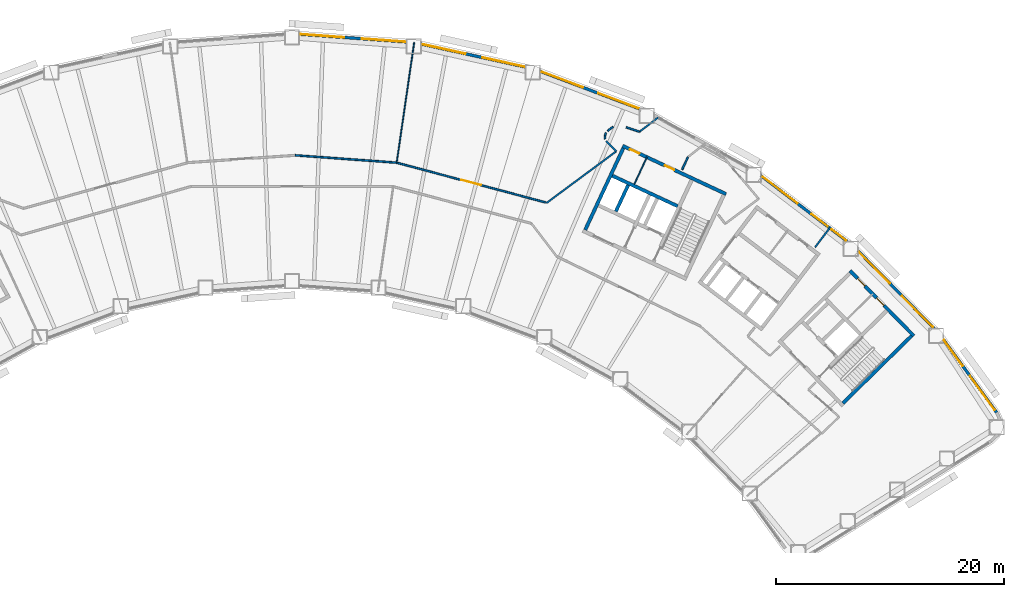
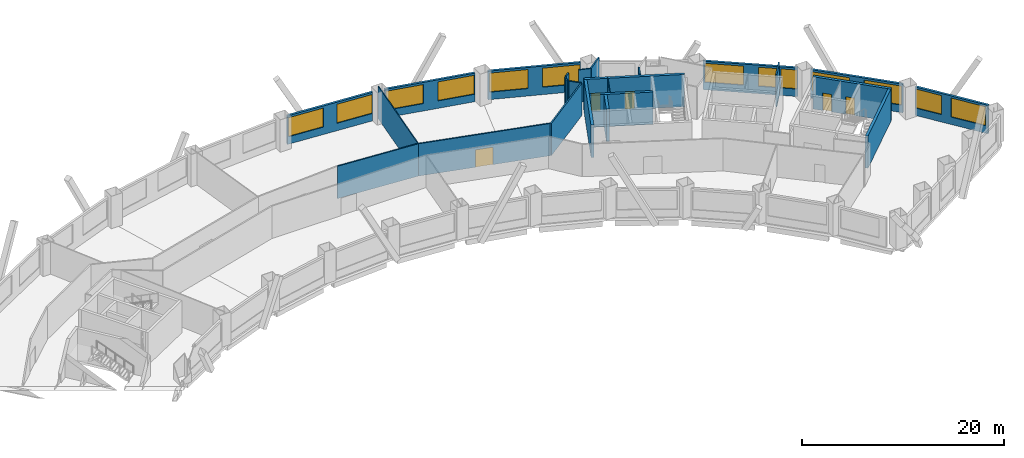
# One storey, part 7 of 11: 25 walls, 13 windows, 5 doors, 18 openings.
"""IFC4 building model written with IfcOpenShell, lengths in metres."""

from ifc_helpers import new_model, si_unit, direction, frame, frame_2d, origin, place, context, subcontext, project, spatial, rectangle, extrude, material, layer, layer_set, type_object, element, fill, save


model = new_model("IFC4")

# Units and contexts
model_context = context("Model", 3, precision=1e-05, world=origin(), true_north=direction((0.0, 1.0)))
body_context = subcontext(model_context, "Body", "Model", "MODEL_VIEW")
ifc_project = project(units=[si_unit("LENGTHUNIT", "METRE"), si_unit("AREAUNIT", "SQUARE_METRE"), si_unit("VOLUMEUNIT", "CUBIC_METRE"), si_unit("PLANEANGLEUNIT", "RADIAN"), si_unit("MASSUNIT", "GRAM", prefix="KILO")], contexts=[model_context])

# Site, building, storey
site_placement = place(None, origin())
site = spatial("IfcSite", under=ifc_project, at=site_placement, CompositionType="ELEMENT")
building_placement = place(site_placement, origin())
building = spatial("IfcBuilding", under=site, at=building_placement, Name="Tuul Gate Civic Tower", CompositionType="ELEMENT")
storey_placement = place(building_placement, frame((0.0, 0.0, 48.300048828125)))
storey = spatial("IfcBuildingStorey", under=building, at=storey_placement, Name="Level 10", CompositionType="ELEMENT", Elevation=48.300048828125)

# Wall, openings, doors
ifc_material_1 = material(Name="Concrete C50/60", Category="concrete")
ifc_layer_1 = layer(ifc_material_1, 0.300048828125)
ifc_layer_set_1 = layer_set([ifc_layer_1], Name="Concrete C50/60")
wall_type_1 = type_object("IfcWallType", Name="Core wall C50/60", PredefinedType="SHEAR", material=ifc_layer_set_1)
wall_1_placement = place(storey_placement, frame((54.43798828125, -12.23779296875, 0.0), z_axis=(0.0, 0.0, 1.0), x_axis=(-0.700021979774, 0.714121297703, 0.0)))
wall_1 = element("IfcWall", 1, at=wall_1_placement, inside=storey, type_object=wall_type_1, Name="Core wall", PredefinedType="SHEAR", context=body_context, shape_type="SweptSolid", body=[
    extrude(rectangle(XDim=8.0, YDim=0.300048828125, at=frame_2d((4.0, 0.0))), origin(), (0.0, 0.0, 1.0), 3.89990234375),
])
opening_1_placement = place(wall_1_placement, frame((3.75, 0.0, 0.0)))
opening_1 = element("IfcOpeningElement", 2, at=opening_1_placement, cuts=wall_1, Name="Opening B-D21", PredefinedType="OPENING", context=body_context, shape_type="SweptSolid", body=[
    extrude(rectangle(XDim=0.89990234375, YDim=2.10009765625, at=frame_2d((0.449951171875, 1.050048828125))), frame((0.0, 0.16015625, 0.0), z_axis=(0.0, -1.0, 0.0), x_axis=(1.0, 0.0, 0.0)), (0.0, 0.0, 1.0), 0.320068359375),
])
opening_2_placement = place(wall_1_placement, frame((6.125, 0.0, 0.0)))
opening_2 = element("IfcOpeningElement", 3, at=opening_2_placement, cuts=wall_1, Name="Opening B-D22", PredefinedType="OPENING", context=body_context, shape_type="SweptSolid", body=[
    extrude(rectangle(XDim=0.89990234375, YDim=2.10009765625, at=frame_2d((0.449951171875, 1.050048828125))), frame((0.0, 0.16015625, 0.0), z_axis=(0.0, -1.0, 0.0), x_axis=(1.0, 0.0, 0.0)), (0.0, 0.0, 1.0), 0.320068359375),
])
ifc_material_2 = material(Name="Timber door leaf", Category="wood")
door_type_1 = type_object("IfcDoorType", Name="Door D09", OperationType="NOTDEFINED", PredefinedType="DOOR", material=ifc_material_2)
door_1_placement = place(opening_1_placement, origin())
door_1 = element("IfcDoor", 4, at=door_1_placement, inside=storey, type_object=door_type_1, Name="Door B-D21", OperationType="SINGLE_SWING_LEFT", OverallHeight=2.10009765625, OverallWidth=0.89990234375, PredefinedType="DOOR", context=body_context, shape_type="SweptSolid", body=[
    extrude(rectangle(XDim=0.89990234375, YDim=2.10009765625, at=frame_2d((0.449951171875, 1.050048828125))), frame((0.0, 0.02490234375, 0.0), z_axis=(0.0, -1.0, 0.0), x_axis=(1.0, 0.0, 0.0)), (0.0, 0.0, 1.0), 0.050048828125),
])
fill(opening_1, door_1)
door_2_placement = place(opening_2_placement, origin())
door_2 = element("IfcDoor", 5, at=door_2_placement, inside=storey, type_object=door_type_1, Name="Door B-D22", OperationType="SINGLE_SWING_LEFT", OverallHeight=2.10009765625, OverallWidth=0.89990234375, PredefinedType="DOOR", context=body_context, shape_type="SweptSolid", body=[
    extrude(rectangle(XDim=0.89990234375, YDim=2.10009765625, at=frame_2d((0.449951171875, 1.050048828125))), frame((0.0, 0.02490234375, 0.0), z_axis=(0.0, -1.0, 0.0), x_axis=(1.0, 0.0, 0.0)), (0.0, 0.0, 1.0), 0.050048828125),
])
fill(opening_2, door_2)

# Walls
wall_2_placement = place(storey_placement, frame((48.227294921875, -18.115966796875, 0.0), z_axis=(0.0, 0.0, 1.0), x_axis=(0.714105315431, 0.700038283577, 0.0)))
element("IfcWall", 6, at=wall_2_placement, inside=storey, type_object=wall_type_1, Name="Core wall", PredefinedType="SHEAR", context=body_context, shape_type="SweptSolid", body=[
    extrude(rectangle(XDim=8.400146484375, YDim=0.300048828125, at=frame_2d((4.2001953125, 0.0))), origin(), (0.0, 0.0, 1.0), 3.89990234375),
])
wall_3_placement = place(storey_placement, frame((33.75, -0.873779296875, 0.0), z_axis=(0.0, 0.0, 1.0), x_axis=(-0.906300917592, 0.422632992999, 0.0)))
element("IfcWall", 7, at=wall_3_placement, inside=storey, type_object=wall_type_1, Name="Core wall", PredefinedType="SHEAR", context=body_context, shape_type="SweptSolid", body=[
    extrude(rectangle(XDim=6.300048828125, YDim=0.300048828125, at=frame_2d((3.14990234375, 0.0))), origin(), (0.0, 0.0, 1.0), 3.89990234375),
])

# Wall, openings, doors
wall_4_placement = place(storey_placement, frame((37.993408203125, 0.181884765625, 0.0), z_axis=(0.0, 0.0, 1.0), x_axis=(-0.906310338845, 0.422612789327, 0.0)))
wall_4 = element("IfcWall", 8, at=wall_4_placement, inside=storey, type_object=wall_type_1, Name="Core wall", PredefinedType="SHEAR", context=body_context, shape_type="SweptSolid", body=[
    extrude(rectangle(XDim=9.999755859375, YDim=0.300048828125, at=frame_2d((5.0, 0.0))), origin(), (0.0, 0.0, 1.0), 3.89990234375),
])
opening_3_placement = place(wall_4_placement, frame((4.99365234375, 0.0, 0.0)))
opening_3 = element("IfcOpeningElement", 9, at=opening_3_placement, cuts=wall_4, Name="Opening B-D23", PredefinedType="OPENING", context=body_context, shape_type="SweptSolid", body=[
    extrude(rectangle(XDim=0.89990234375, YDim=2.10009765625, at=frame_2d((0.449951171875, 1.050048828125))), frame((0.0, 0.16015625, 0.0), z_axis=(0.0, -1.0, 0.0), x_axis=(1.0, 0.0, 0.0)), (0.0, 0.0, 1.0), 0.320068359375),
])
opening_4_placement = place(wall_4_placement, frame((8.368896484375, 0.0, 0.0)))
opening_4 = element("IfcOpeningElement", 10, at=opening_4_placement, cuts=wall_4, Name="Opening B-D24", PredefinedType="OPENING", context=body_context, shape_type="SweptSolid", body=[
    extrude(rectangle(XDim=0.89990234375, YDim=2.10009765625, at=frame_2d((0.449951171875, 1.050048828125))), frame((0.0, 0.16015625, 0.0), z_axis=(0.0, -1.0, 0.0), x_axis=(1.0, 0.0, 0.0)), (0.0, 0.0, 1.0), 0.320068359375),
])
door_3_placement = place(opening_3_placement, origin())
door_3 = element("IfcDoor", 11, at=door_3_placement, inside=storey, type_object=door_type_1, Name="Door B-D23", OperationType="SINGLE_SWING_LEFT", OverallHeight=2.10009765625, OverallWidth=0.89990234375, PredefinedType="DOOR", context=body_context, shape_type="SweptSolid", body=[
    extrude(rectangle(XDim=0.89990234375, YDim=2.10009765625, at=frame_2d((0.449951171875, 1.050048828125))), frame((0.0, 0.02490234375, 0.0), z_axis=(0.0, -1.0, 0.0), x_axis=(1.0, 0.0, 0.0)), (0.0, 0.0, 1.0), 0.050048828125),
])
fill(opening_3, door_3)
door_4_placement = place(opening_4_placement, origin())
door_4 = element("IfcDoor", 12, at=door_4_placement, inside=storey, type_object=door_type_1, Name="Door B-D24", OperationType="SINGLE_SWING_RIGHT", OverallHeight=2.10009765625, OverallWidth=0.89990234375, PredefinedType="DOOR", context=body_context, shape_type="SweptSolid", body=[
    extrude(rectangle(XDim=0.89990234375, YDim=2.10009765625, at=frame_2d((0.449951171875, 1.050048828125))), frame((0.0, 0.02490234375, 0.0), z_axis=(0.0, -1.0, 0.0), x_axis=(1.0, 0.0, 0.0)), (0.0, 0.0, 1.0), 0.050048828125),
])
fill(opening_4, door_4)

# Walls
wall_5_placement = place(storey_placement, frame((28.349365234375, -1.33447265625, 0.0), z_axis=(0.0, 0.0, 1.0), x_axis=(0.422612891016, 0.906310291427, 0.0)))
element("IfcWall", 13, at=wall_5_placement, inside=storey, type_object=wall_type_1, Name="Core wall", PredefinedType="SHEAR", context=body_context, shape_type="SweptSolid", body=[
    extrude(rectangle(XDim=2.550048828125, YDim=0.300048828125, at=frame_2d((1.27490234375, 0.0))), origin(), (0.0, 0.0, 1.0), 3.89990234375),
])
wall_6_placement = place(storey_placement, frame((25.66455078125, -2.951416015625, 0.0), z_axis=(0.0, 0.0, 1.0), x_axis=(0.422582604137, 0.906324413596, 0.0)))
element("IfcWall", 14, at=wall_6_placement, inside=storey, type_object=wall_type_1, Name="Core wall", PredefinedType="SHEAR", context=body_context, shape_type="SweptSolid", body=[
    extrude(rectangle(XDim=7.89990234375, YDim=0.300048828125, at=frame_2d((3.949951171875, 0.0))), origin(), (0.0, 0.0, 1.0), 3.89990234375),
])
ifc_material_3 = material(Name="Gypsum board partition")
ifc_layer_2 = layer(ifc_material_3, 0.14990234375)
ifc_layer_set_2 = layer_set([ifc_layer_2], Name="Gypsum board partition")
wall_type_2 = type_object("IfcWallType", Name="Corridor wall P150", PredefinedType="PARTITIONING", material=ifc_layer_set_2)
wall_7_placement = place(storey_placement, frame((45.777587890625, -4.485595703125, 0.0), z_axis=(0.0, 0.0, 1.0), x_axis=(0.60268588556, 0.797978523111, 0.0)))
element("IfcWall", 15, at=wall_7_placement, inside=storey, type_object=wall_type_2, Name="p009", PredefinedType="PARTITIONING", context=body_context, shape_type="SweptSolid", body=[
    extrude(rectangle(XDim=2.13525390625, YDim=0.14990234375, at=frame_2d((1.067626953125, 0.0))), origin(), (0.0, 0.0, 1.0), 3.89990234375),
])
wall_8_placement = place(storey_placement, frame((34.143798828125, 2.322509765625, 0.0), z_axis=(0.0, 0.0, 1.0), x_axis=(0.422708976836, 0.906265480366, 0.0)))
element("IfcWall", 16, at=wall_8_placement, inside=storey, type_object=wall_type_2, Name="p012", PredefinedType="PARTITIONING", context=body_context, shape_type="SweptSolid", body=[
    extrude(rectangle(XDim=1.211669921875, YDim=0.14990234375, at=frame_2d((0.60595703125, 0.0))), origin(), (0.0, 0.0, 1.0), 3.89990234375),
])
wall_9_placement = place(storey_placement, frame((22.2646484375, -0.605712890625, 0.0), z_axis=(0.0, 0.0, 1.0), x_axis=(0.803520813398, 0.595276660417, 0.0)))
element("IfcWall", 17, at=wall_9_placement, inside=storey, type_object=wall_type_2, Name="p017", PredefinedType="PARTITIONING", context=body_context, shape_type="SweptSolid", body=[
    extrude(rectangle(XDim=7.608642578125, YDim=0.14990234375, at=frame_2d((3.80419921875, 0.0))), origin(), (0.0, 0.0, 1.0), 3.89990234375),
])
wall_10_placement = place(storey_placement, frame((30.42431640625, 5.643310546875, 0.0), z_axis=(0.0, 0.0, 1.0), x_axis=(0.79384868291, 0.608115341561, 0.0)))
element("IfcWall", 18, at=wall_10_placement, inside=storey, type_object=wall_type_2, Name="p018", PredefinedType="PARTITIONING", context=body_context, shape_type="SweptSolid", body=[
    extrude(rectangle(XDim=2.042724609375, YDim=0.14990234375, at=frame_2d((1.021484375, 0.0))), origin(), (0.0, 0.0, 1.0), 3.89990234375),
])
wall_11_placement = place(storey_placement, frame((29.2568359375, 6.028564453125, 0.0), z_axis=(0.0, 0.0, 1.0), x_axis=(0.949632194878, -0.313366709226, 0.0)))
element("IfcWall", 19, at=wall_11_placement, inside=storey, type_object=wall_type_2, Name="p019", PredefinedType="PARTITIONING", context=body_context, shape_type="SweptSolid", body=[
    extrude(rectangle(XDim=1.2294921875, YDim=0.14990234375, at=frame_2d((0.61474609375, 0.0))), origin(), (0.0, 0.0, 1.0), 3.89990234375),
])
wall_12_placement = place(storey_placement, frame((27.62158203125, 5.70654296875, 0.0), z_axis=(0.0, 0.0, 1.0), x_axis=(0.793734738563, 0.608264058447, 0.0)))
element("IfcWall", 20, at=wall_12_placement, inside=storey, type_object=wall_type_2, Name="p020", PredefinedType="PARTITIONING", context=body_context, shape_type="SweptSolid", body=[
    extrude(rectangle(XDim=0.612060546875, YDim=0.14990234375, at=frame_2d((0.30615234375, 0.0))), origin(), (0.0, 0.0, 1.0), 3.89990234375),
])
wall_13_placement = place(storey_placement, frame((27.389404296875, 5.285888671875, 0.0), z_axis=(0.0, 0.0, 1.0), x_axis=(0.330896267797, 0.943667134088, 0.0)))
element("IfcWall", 21, at=wall_13_placement, inside=storey, type_object=wall_type_2, Name="p021", PredefinedType="PARTITIONING", context=body_context, shape_type="SweptSolid", body=[
    extrude(rectangle(XDim=0.27880859375, YDim=0.14990234375, at=frame_2d((0.139404296875, 0.0))), origin(), (0.0, 0.0, 1.0), 3.89990234375),
])
wall_14_placement = place(storey_placement, frame((27.389404296875, 5.285888671875, 0.0), z_axis=(0.0, 0.0, 1.0), x_axis=(0.054795599589, -0.998497592519, 0.0)))
element("IfcWall", 22, at=wall_14_placement, inside=storey, type_object=wall_type_2, Name="p022", PredefinedType="PARTITIONING", context=body_context, shape_type="SweptSolid", body=[
    extrude(rectangle(XDim=0.28076171875, YDim=0.14990234375, at=frame_2d((0.140380859375, 0.0))), origin(), (0.0, 0.0, 1.0), 3.89990234375),
])
wall_15_placement = place(storey_placement, frame((27.49951171875, 4.809326171875, 0.0), z_axis=(0.0, 0.0, 1.0), x_axis=(0.704266832513, -0.709935369328, 0.0)))
element("IfcWall", 23, at=wall_15_placement, inside=storey, type_object=wall_type_2, Name="p023", PredefinedType="PARTITIONING", context=body_context, shape_type="SweptSolid", body=[
    extrude(rectangle(XDim=1.2490234375, YDim=0.14990234375, at=frame_2d((0.62451171875, 0.0))), origin(), (0.0, 0.0, 1.0), 3.89990234375),
])

# Wall, opening, door
wall_16_placement = place(storey_placement, frame((9.14306640625, 2.93408203125, 0.0), z_axis=(0.0, 0.0, 1.0), x_axis=(0.966243040553, -0.257632270074, 0.0)))
wall_16 = element("IfcWall", 24, at=wall_16_placement, inside=storey, type_object=wall_type_2, Name="p024", PredefinedType="PARTITIONING", context=body_context, shape_type="SweptSolid", body=[
    extrude(rectangle(XDim=13.504638671875, YDim=0.14990234375, at=frame_2d((6.75244140625, 0.0))), origin(), (0.0, 0.0, 1.0), 3.89990234375),
])
opening_5_placement = place(wall_16_placement, frame((5.86328125, 0.0, 0.0)))
opening_5 = element("IfcOpeningElement", 25, at=opening_5_placement, cuts=wall_16, Name="Opening B-D03", PredefinedType="OPENING", context=body_context, shape_type="SweptSolid", body=[
    extrude(rectangle(XDim=1.800048828125, YDim=2.10009765625, at=frame_2d((0.89990234375, 1.050048828125))), frame((0.0, 0.0849609375, 0.0), z_axis=(0.0, -1.0, 0.0), x_axis=(1.0, 0.0, 0.0)), (0.0, 0.0, 1.0), 0.169921875),
])
ifc_material_4 = material(Name="Timber door leaf, double", Category="wood")
door_type_2 = type_object("IfcDoorType", Name="Door D18", OperationType="DOUBLE_DOOR_SINGLE_SWING", PredefinedType="DOOR", material=ifc_material_4)
door_5_placement = place(opening_5_placement, origin())
door_5 = element("IfcDoor", 26, at=door_5_placement, inside=storey, type_object=door_type_2, Name="Door B-D03", OperationType="DOUBLE_DOOR_SINGLE_SWING", OverallHeight=2.10009765625, OverallWidth=1.800048828125, PredefinedType="DOOR", context=body_context, shape_type="SweptSolid", body=[
    extrude(rectangle(XDim=1.800048828125, YDim=2.10009765625, at=frame_2d((0.89990234375, 1.050048828125))), frame((0.0, 0.02490234375, 0.0), z_axis=(0.0, -1.0, 0.0), x_axis=(1.0, 0.0, 0.0)), (0.0, 0.0, 1.0), 0.050048828125),
])
fill(opening_5, door_5)

# Wall
wall_17_placement = place(storey_placement, frame((0.27587890625, 3.576416015625, 0.0), z_axis=(0.0, 0.0, 1.0), x_axis=(0.997387664571, -0.072234663155, 0.0)))
element("IfcWall", 27, at=wall_17_placement, inside=storey, type_object=wall_type_2, Name="p026", PredefinedType="PARTITIONING", context=body_context, shape_type="SweptSolid", body=[
    extrude(rectangle(XDim=8.888916015625, YDim=0.14990234375, at=frame_2d((4.4443359375, 0.0))), origin(), (0.0, 0.0, 1.0), 3.89990234375),
])

# Wall, openings, windows
ifc_material_5 = material(Name="Precast concrete C40/50", Category="concrete")
ifc_layer_3 = layer(ifc_material_5, 0.25)
ifc_layer_set_3 = layer_set([ifc_layer_3], Name="Precast concrete C40/50")
wall_type_3 = type_object("IfcWallType", Name="External wall", PredefinedType="STANDARD", material=ifc_layer_set_3)
wall_18_placement = place(storey_placement, frame((61.68896484375, -18.94677734375, 0.0), z_axis=(0.0, 0.0, 1.0), x_axis=(-0.589806928208, 0.807544294412, 0.0)))
wall_18 = element("IfcWall", 28, at=wall_18_placement, inside=storey, type_object=wall_type_3, Name="External wall", PredefinedType="STANDARD", context=body_context, shape_type="SweptSolid", body=[
    extrude(rectangle(XDim=7.912841796875, YDim=0.25, at=frame_2d((3.95654296875, 0.0))), origin(), (0.0, 0.0, 1.0), 3.449951171875),
])
opening_6_placement = place(wall_18_placement, frame((0.30078125, 0.0, 0.89990234375)))
opening_6 = element("IfcOpeningElement", 29, at=opening_6_placement, cuts=wall_18, Name="Opening W21", PredefinedType="OPENING", context=body_context, shape_type="SweptSolid", body=[
    extrude(rectangle(XDim=3.699951171875, YDim=2.300048828125, at=frame_2d((1.85009765625, 1.14990234375))), frame((0.0, 0.135009765625, 0.0), z_axis=(0.0, -1.0, 0.0), x_axis=(1.0, 0.0, 0.0)), (0.0, 0.0, 1.0), 0.27001953125),
])
opening_7_placement = place(wall_18_placement, frame((5.052001953125, 0.0, 0.89990234375)))
opening_7 = element("IfcOpeningElement", 30, at=opening_7_placement, cuts=wall_18, Name="Opening W23", PredefinedType="OPENING", context=body_context, shape_type="SweptSolid", body=[
    extrude(rectangle(XDim=2.800048828125, YDim=2.300048828125, at=frame_2d((1.39990234375, 1.14990234375))), frame((0.0, 0.135009765625, 0.0), z_axis=(0.0, -1.0, 0.0), x_axis=(1.0, 0.0, 0.0)), (0.0, 0.0, 1.0), 0.27001953125),
])
ifc_material_6 = material(Name="Glass", Category="glass")
window_type_1 = type_object("IfcWindowType", Name="Window W21 3700 x 2300", PartitioningType="SINGLE_PANEL", PredefinedType="WINDOW", material=ifc_material_6)
window_1_placement = place(opening_6_placement, origin())
window_1 = element("IfcWindow", 31, at=window_1_placement, inside=storey, type_object=window_type_1, Name="Window", OverallHeight=2.300048828125, OverallWidth=3.699951171875, PartitioningType="SINGLE_PANEL", PredefinedType="WINDOW", context=body_context, shape_type="SweptSolid", body=[
    extrude(rectangle(XDim=3.699951171875, YDim=2.300048828125, at=frame_2d((1.85009765625, 1.14990234375))), frame((0.0, 0.030029296875, 0.0), z_axis=(0.0, -1.0, 0.0), x_axis=(1.0, 0.0, 0.0)), (0.0, 0.0, 1.0), 0.06005859375),
])
fill(opening_6, window_1)
ifc_material_7 = material(Name="Glass", Category="glass")
window_type_2 = type_object("IfcWindowType", Name="Window W23 2800 x 2300", PartitioningType="SINGLE_PANEL", PredefinedType="WINDOW", material=ifc_material_7)
window_2_placement = place(opening_7_placement, origin())
window_2 = element("IfcWindow", 32, at=window_2_placement, inside=storey, type_object=window_type_2, Name="Window", OverallHeight=2.300048828125, OverallWidth=2.800048828125, PartitioningType="SINGLE_PANEL", PredefinedType="WINDOW", context=body_context, shape_type="SweptSolid", body=[
    extrude(rectangle(XDim=2.800048828125, YDim=2.300048828125, at=frame_2d((1.39990234375, 1.14990234375))), frame((0.0, 0.030029296875, 0.0), z_axis=(0.0, -1.0, 0.0), x_axis=(1.0, 0.0, 0.0)), (0.0, 0.0, 1.0), 0.06005859375),
])
fill(opening_7, window_2)

wall_19_placement = place(storey_placement, frame((56.18896484375, -11.56689453125, 0.0), z_axis=(0.0, 0.0, 1.0), x_axis=(-0.699994476854, 0.714148256578, 0.0)))
wall_19 = element("IfcWall", 33, at=wall_19_placement, inside=storey, type_object=wall_type_3, Name="External wall", PredefinedType="STANDARD", context=body_context, shape_type="SweptSolid", body=[
    extrude(rectangle(XDim=9.487060546875, YDim=0.25, at=frame_2d((4.74365234375, 0.0))), origin(), (0.0, 0.0, 1.0), 3.449951171875),
])
opening_8_placement = place(wall_19_placement, frame((0.135498046875, 0.0, 0.89990234375)))
opening_8 = element("IfcOpeningElement", 34, at=opening_8_placement, cuts=wall_19, Name="Opening W22", PredefinedType="OPENING", context=body_context, shape_type="SweptSolid", body=[
    extrude(rectangle(XDim=3.85009765625, YDim=2.300048828125, at=frame_2d((1.925048828125, 1.14990234375))), frame((0.0, 0.135009765625, 0.0), z_axis=(0.0, -1.0, 0.0), x_axis=(1.0, 0.0, 0.0)), (0.0, 0.0, 1.0), 0.27001953125),
])
opening_9_placement = place(wall_19_placement, frame((5.5068359375, 0.0, 0.89990234375)))
opening_9 = element("IfcOpeningElement", 35, at=opening_9_placement, cuts=wall_19, Name="Opening W22", PredefinedType="OPENING", context=body_context, shape_type="SweptSolid", body=[
    extrude(rectangle(XDim=3.85009765625, YDim=2.300048828125, at=frame_2d((1.925048828125, 1.14990234375))), frame((0.0, 0.135009765625, 0.0), z_axis=(0.0, -1.0, 0.0), x_axis=(1.0, 0.0, 0.0)), (0.0, 0.0, 1.0), 0.27001953125),
])
ifc_material_8 = material(Name="Glass", Category="glass")
window_type_3 = type_object("IfcWindowType", Name="Window W22 3850 x 2300", PartitioningType="SINGLE_PANEL", PredefinedType="WINDOW", material=ifc_material_8)
window_3_placement = place(opening_8_placement, origin())
window_3 = element("IfcWindow", 36, at=window_3_placement, inside=storey, type_object=window_type_3, Name="Window", OverallHeight=2.300048828125, OverallWidth=3.85009765625, PartitioningType="SINGLE_PANEL", PredefinedType="WINDOW", context=body_context, shape_type="SweptSolid", body=[
    extrude(rectangle(XDim=3.85009765625, YDim=2.300048828125, at=frame_2d((1.925048828125, 1.14990234375))), frame((0.0, 0.030029296875, 0.0), z_axis=(0.0, -1.0, 0.0), x_axis=(1.0, 0.0, 0.0)), (0.0, 0.0, 1.0), 0.06005859375),
])
fill(opening_8, window_3)
window_4_placement = place(opening_9_placement, origin())
window_4 = element("IfcWindow", 37, at=window_4_placement, inside=storey, type_object=window_type_3, Name="Window", OverallHeight=2.300048828125, OverallWidth=3.85009765625, PartitioningType="SINGLE_PANEL", PredefinedType="WINDOW", context=body_context, shape_type="SweptSolid", body=[
    extrude(rectangle(XDim=3.85009765625, YDim=2.300048828125, at=frame_2d((1.925048828125, 1.14990234375))), frame((0.0, 0.030029296875, 0.0), z_axis=(0.0, -1.0, 0.0), x_axis=(1.0, 0.0, 0.0)), (0.0, 0.0, 1.0), 0.06005859375),
])
fill(opening_9, window_4)

wall_20_placement = place(storey_placement, frame((48.579833984375, -3.94189453125, 0.0), z_axis=(0.0, 0.0, 1.0), x_axis=(-0.795612935537, 0.605805296119, 0.0)))
wall_20 = element("IfcWall", 38, at=wall_20_placement, inside=storey, type_object=wall_type_3, Name="External wall", PredefinedType="STANDARD", context=body_context, shape_type="SweptSolid", body=[
    extrude(rectangle(XDim=9.461669921875, YDim=0.25, at=frame_2d((4.73095703125, 0.0))), origin(), (0.0, 0.0, 1.0), 3.449951171875),
])
opening_10_placement = place(wall_20_placement, frame((5.452880859375, 0.0, 0.89990234375)))
opening_10 = element("IfcOpeningElement", 39, at=opening_10_placement, cuts=wall_20, Name="Opening W22", PredefinedType="OPENING", context=body_context, shape_type="SweptSolid", body=[
    extrude(rectangle(XDim=3.85009765625, YDim=2.300048828125, at=frame_2d((1.925048828125, 1.14990234375))), frame((0.0, 0.135009765625, 0.0), z_axis=(0.0, -1.0, 0.0), x_axis=(1.0, 0.0, 0.0)), (0.0, 0.0, 1.0), 0.27001953125),
])
opening_11_placement = place(wall_20_placement, frame((0.09521484375, 0.0, 0.89990234375)))
opening_11 = element("IfcOpeningElement", 40, at=opening_11_placement, cuts=wall_20, Name="Opening W28", PredefinedType="OPENING", context=body_context, shape_type="SweptSolid", body=[
    extrude(rectangle(XDim=1.60009765625, YDim=2.300048828125, at=frame_2d((0.800048828125, 1.14990234375))), frame((0.0, 0.135009765625, 0.0), z_axis=(0.0, -1.0, 0.0), x_axis=(1.0, 0.0, 0.0)), (0.0, 0.0, 1.0), 0.27001953125),
])
opening_12_placement = place(wall_20_placement, frame((2.120361328125, 0.0, 0.89990234375)))
opening_12 = element("IfcOpeningElement", 41, at=opening_12_placement, cuts=wall_20, Name="Opening W29", PredefinedType="OPENING", context=body_context, shape_type="SweptSolid", body=[
    extrude(rectangle(XDim=1.800048828125, YDim=2.300048828125, at=frame_2d((0.89990234375, 1.14990234375))), frame((0.0, 0.135009765625, 0.0), z_axis=(0.0, -1.0, 0.0), x_axis=(1.0, 0.0, 0.0)), (0.0, 0.0, 1.0), 0.27001953125),
])
ifc_material_9 = material(Name="Glass", Category="glass")
window_type_4 = type_object("IfcWindowType", Name="Window 1600 x 2300", PartitioningType="SINGLE_PANEL", PredefinedType="WINDOW", material=ifc_material_9)
window_5_placement = place(opening_11_placement, origin())
window_5 = element("IfcWindow", 42, at=window_5_placement, inside=storey, type_object=window_type_4, Name="Window", OverallHeight=2.300048828125, OverallWidth=1.60009765625, PartitioningType="SINGLE_PANEL", PredefinedType="WINDOW", context=body_context, shape_type="SweptSolid", body=[
    extrude(rectangle(XDim=1.60009765625, YDim=2.300048828125, at=frame_2d((0.800048828125, 1.14990234375))), frame((0.0, 0.030029296875, 0.0), z_axis=(0.0, -1.0, 0.0), x_axis=(1.0, 0.0, 0.0)), (0.0, 0.0, 1.0), 0.06005859375),
])
fill(opening_11, window_5)
ifc_material_10 = material(Name="Glass", Category="glass")
window_type_5 = type_object("IfcWindowType", Name="Window 1800 x 2300", PartitioningType="SINGLE_PANEL", PredefinedType="WINDOW", material=ifc_material_10)
window_6_placement = place(opening_12_placement, origin())
window_6 = element("IfcWindow", 43, at=window_6_placement, inside=storey, type_object=window_type_5, Name="Window", OverallHeight=2.300048828125, OverallWidth=1.800048828125, PartitioningType="SINGLE_PANEL", PredefinedType="WINDOW", context=body_context, shape_type="SweptSolid", body=[
    extrude(rectangle(XDim=1.800048828125, YDim=2.300048828125, at=frame_2d((0.89990234375, 1.14990234375))), frame((0.0, 0.030029296875, 0.0), z_axis=(0.0, -1.0, 0.0), x_axis=(1.0, 0.0, 0.0)), (0.0, 0.0, 1.0), 0.06005859375),
])
fill(opening_12, window_6)
window_7_placement = place(opening_10_placement, origin())
window_7 = element("IfcWindow", 44, at=window_7_placement, inside=storey, type_object=window_type_3, Name="Window", OverallHeight=2.300048828125, OverallWidth=3.85009765625, PartitioningType="SINGLE_PANEL", PredefinedType="WINDOW", context=body_context, shape_type="SweptSolid", body=[
    extrude(rectangle(XDim=3.85009765625, YDim=2.300048828125, at=frame_2d((1.925048828125, 1.14990234375))), frame((0.0, 0.030029296875, 0.0), z_axis=(0.0, -1.0, 0.0), x_axis=(1.0, 0.0, 0.0)), (0.0, 0.0, 1.0), 0.06005859375),
])
fill(opening_10, window_7)

wall_21_placement = place(storey_placement, frame((30.4140625, 7.6455078125, 0.0), z_axis=(0.0, 0.0, 1.0), x_axis=(-0.93537723485, 0.353651563724, 0.0)))
wall_21 = element("IfcWall", 45, at=wall_21_placement, inside=storey, type_object=wall_type_3, Name="External wall", PredefinedType="STANDARD", context=body_context, shape_type="SweptSolid", body=[
    extrude(rectangle(XDim=9.287109375, YDim=0.25, at=frame_2d((4.6435546875, 0.0))), origin(), (0.0, 0.0, 1.0), 3.449951171875),
])
opening_13_placement = place(wall_21_placement, frame((0.0458984375, 0.0, 0.89990234375)))
opening_13 = element("IfcOpeningElement", 46, at=opening_13_placement, cuts=wall_21, Name="Opening W100", PredefinedType="OPENING", context=body_context, shape_type="SweptSolid", body=[
    extrude(rectangle(XDim=3.800048828125, YDim=2.300048828125, at=frame_2d((1.89990234375, 1.14990234375))), frame((0.0, 0.135009765625, 0.0), z_axis=(0.0, -1.0, 0.0), x_axis=(1.0, 0.0, 0.0)), (0.0, 0.0, 1.0), 0.27001953125),
])
opening_14_placement = place(wall_21_placement, frame((5.281982421875, 0.0, 0.89990234375)))
opening_14 = element("IfcOpeningElement", 47, at=opening_14_placement, cuts=wall_21, Name="Opening W22", PredefinedType="OPENING", context=body_context, shape_type="SweptSolid", body=[
    extrude(rectangle(XDim=3.85009765625, YDim=2.300048828125, at=frame_2d((1.925048828125, 1.14990234375))), frame((0.0, 0.135009765625, 0.0), z_axis=(0.0, -1.0, 0.0), x_axis=(1.0, 0.0, 0.0)), (0.0, 0.0, 1.0), 0.27001953125),
])
ifc_material_11 = material(Name="Glass", Category="glass")
window_type_6 = type_object("IfcWindowType", Name="Window W100 3800 x 2300", PartitioningType="SINGLE_PANEL", PredefinedType="WINDOW", material=ifc_material_11)
window_8_placement = place(opening_13_placement, origin())
window_8 = element("IfcWindow", 48, at=window_8_placement, inside=storey, type_object=window_type_6, Name="Window", OverallHeight=2.300048828125, OverallWidth=3.800048828125, PartitioningType="SINGLE_PANEL", PredefinedType="WINDOW", context=body_context, shape_type="SweptSolid", body=[
    extrude(rectangle(XDim=3.800048828125, YDim=2.300048828125, at=frame_2d((1.89990234375, 1.14990234375))), frame((0.0, 0.030029296875, 0.0), z_axis=(0.0, -1.0, 0.0), x_axis=(1.0, 0.0, 0.0)), (0.0, 0.0, 1.0), 0.06005859375),
])
fill(opening_13, window_8)
window_9_placement = place(opening_14_placement, origin())
window_9 = element("IfcWindow", 49, at=window_9_placement, inside=storey, type_object=window_type_3, Name="Window", OverallHeight=2.300048828125, OverallWidth=3.85009765625, PartitioningType="SINGLE_PANEL", PredefinedType="WINDOW", context=body_context, shape_type="SweptSolid", body=[
    extrude(rectangle(XDim=3.85009765625, YDim=2.300048828125, at=frame_2d((1.925048828125, 1.14990234375))), frame((0.0, 0.030029296875, 0.0), z_axis=(0.0, -1.0, 0.0), x_axis=(1.0, 0.0, 0.0)), (0.0, 0.0, 1.0), 0.06005859375),
])
fill(opening_14, window_9)

wall_22_placement = place(storey_placement, frame((20.427001953125, 11.304443359375, 0.0), z_axis=(0.0, 0.0, 1.0), x_axis=(-0.97654219172, 0.215326142841, 0.0)))
wall_22 = element("IfcWall", 50, at=wall_22_placement, inside=storey, type_object=wall_type_3, Name="External wall", PredefinedType="STANDARD", context=body_context, shape_type="SweptSolid", body=[
    extrude(rectangle(XDim=9.34716796875, YDim=0.25, at=frame_2d((4.673583984375, 0.0))), origin(), (0.0, 0.0, 1.0), 3.449951171875),
])
opening_15_placement = place(wall_22_placement, frame((0.04296875, 0.0, 0.89990234375)))
opening_15 = element("IfcOpeningElement", 51, at=opening_15_placement, cuts=wall_22, Name="Opening W100", PredefinedType="OPENING", context=body_context, shape_type="SweptSolid", body=[
    extrude(rectangle(XDim=3.800048828125, YDim=2.300048828125, at=frame_2d((1.89990234375, 1.14990234375))), frame((0.0, 0.135009765625, 0.0), z_axis=(0.0, -1.0, 0.0), x_axis=(1.0, 0.0, 0.0)), (0.0, 0.0, 1.0), 0.27001953125),
])
opening_16_placement = place(wall_22_placement, frame((5.363037109375, 0.0, 0.89990234375)))
opening_16 = element("IfcOpeningElement", 52, at=opening_16_placement, cuts=wall_22, Name="Opening W22", PredefinedType="OPENING", context=body_context, shape_type="SweptSolid", body=[
    extrude(rectangle(XDim=3.85009765625, YDim=2.300048828125, at=frame_2d((1.925048828125, 1.14990234375))), frame((0.0, 0.135009765625, 0.0), z_axis=(0.0, -1.0, 0.0), x_axis=(1.0, 0.0, 0.0)), (0.0, 0.0, 1.0), 0.27001953125),
])
window_10_placement = place(opening_15_placement, origin())
window_10 = element("IfcWindow", 53, at=window_10_placement, inside=storey, type_object=window_type_6, Name="Window", OverallHeight=2.300048828125, OverallWidth=3.800048828125, PartitioningType="SINGLE_PANEL", PredefinedType="WINDOW", context=body_context, shape_type="SweptSolid", body=[
    extrude(rectangle(XDim=3.800048828125, YDim=2.300048828125, at=frame_2d((1.89990234375, 1.14990234375))), frame((0.0, 0.030029296875, 0.0), z_axis=(0.0, -1.0, 0.0), x_axis=(1.0, 0.0, 0.0)), (0.0, 0.0, 1.0), 0.06005859375),
])
fill(opening_15, window_10)
window_11_placement = place(opening_16_placement, origin())
window_11 = element("IfcWindow", 54, at=window_11_placement, inside=storey, type_object=window_type_3, Name="Window", OverallHeight=2.300048828125, OverallWidth=3.85009765625, PartitioningType="SINGLE_PANEL", PredefinedType="WINDOW", context=body_context, shape_type="SweptSolid", body=[
    extrude(rectangle(XDim=3.85009765625, YDim=2.300048828125, at=frame_2d((1.925048828125, 1.14990234375))), frame((0.0, 0.030029296875, 0.0), z_axis=(0.0, -1.0, 0.0), x_axis=(1.0, 0.0, 0.0)), (0.0, 0.0, 1.0), 0.06005859375),
])
fill(opening_16, window_11)

wall_23_placement = place(storey_placement, frame((9.9990234375, 13.50048828125, 0.0), z_axis=(0.0, 0.0, 1.0), x_axis=(-0.997388413682, 0.072224318983, 0.0)))
wall_23 = element("IfcWall", 55, at=wall_23_placement, inside=storey, type_object=wall_type_3, Name="External wall", PredefinedType="STANDARD", context=body_context, shape_type="SweptSolid", body=[
    extrude(rectangle(XDim=9.37353515625, YDim=0.25, at=frame_2d((4.686767578125, 0.0))), origin(), (0.0, 0.0, 1.0), 3.449951171875),
])
opening_17_placement = place(wall_23_placement, frame((0.052734375, 0.0, 0.89990234375)))
opening_17 = element("IfcOpeningElement", 56, at=opening_17_placement, cuts=wall_23, Name="Opening W22", PredefinedType="OPENING", context=body_context, shape_type="SweptSolid", body=[
    extrude(rectangle(XDim=3.85009765625, YDim=2.300048828125, at=frame_2d((1.925048828125, 1.14990234375))), frame((0.0, 0.135009765625, 0.0), z_axis=(0.0, -1.0, 0.0), x_axis=(1.0, 0.0, 0.0)), (0.0, 0.0, 1.0), 0.27001953125),
])
opening_18_placement = place(wall_23_placement, frame((5.423828125, 0.0, 0.89990234375)))
opening_18 = element("IfcOpeningElement", 57, at=opening_18_placement, cuts=wall_23, Name="Opening W22", PredefinedType="OPENING", context=body_context, shape_type="SweptSolid", body=[
    extrude(rectangle(XDim=3.85009765625, YDim=2.300048828125, at=frame_2d((1.925048828125, 1.14990234375))), frame((0.0, 0.135009765625, 0.0), z_axis=(0.0, -1.0, 0.0), x_axis=(1.0, 0.0, 0.0)), (0.0, 0.0, 1.0), 0.27001953125),
])
window_12_placement = place(opening_17_placement, origin())
window_12 = element("IfcWindow", 58, at=window_12_placement, inside=storey, type_object=window_type_3, Name="Window", OverallHeight=2.300048828125, OverallWidth=3.85009765625, PartitioningType="SINGLE_PANEL", PredefinedType="WINDOW", context=body_context, shape_type="SweptSolid", body=[
    extrude(rectangle(XDim=3.85009765625, YDim=2.300048828125, at=frame_2d((1.925048828125, 1.14990234375))), frame((0.0, 0.030029296875, 0.0), z_axis=(0.0, -1.0, 0.0), x_axis=(1.0, 0.0, 0.0)), (0.0, 0.0, 1.0), 0.06005859375),
])
fill(opening_17, window_12)
window_13_placement = place(opening_18_placement, origin())
window_13 = element("IfcWindow", 59, at=window_13_placement, inside=storey, type_object=window_type_3, Name="Window", OverallHeight=2.300048828125, OverallWidth=3.85009765625, PartitioningType="SINGLE_PANEL", PredefinedType="WINDOW", context=body_context, shape_type="SweptSolid", body=[
    extrude(rectangle(XDim=3.85009765625, YDim=2.300048828125, at=frame_2d((1.925048828125, 1.14990234375))), frame((0.0, 0.030029296875, 0.0), z_axis=(0.0, -1.0, 0.0), x_axis=(1.0, 0.0, 0.0)), (0.0, 0.0, 1.0), 0.06005859375),
])
fill(opening_18, window_13)

# Walls
ifc_material_12 = material(Name="Gypsum board partition")
ifc_layer_4 = layer(ifc_material_12, 0.10009765625)
ifc_layer_set_4 = layer_set([ifc_layer_4], Name="Gypsum board partition")
wall_type_4 = type_object("IfcWallType", Name="Partition P100", PredefinedType="PARTITIONING", material=ifc_layer_set_4)
wall_24_placement = place(storey_placement, frame((9.164306640625, 2.928466796875, 0.0), z_axis=(0.0, 0.0, 1.0), x_axis=(0.144110249714, 0.989561638266, 0.0)))
element("IfcWall", 60, at=wall_24_placement, inside=storey, type_object=wall_type_4, Name="p016", PredefinedType="PARTITIONING", context=body_context, shape_type="SweptSolid", body=[
    extrude(rectangle(XDim=10.637451171875, YDim=0.10009765625, at=frame_2d((5.31884765625, 0.0))), origin(), (0.0, 0.0, 1.0), 3.89990234375),
])
wall_25_placement = place(storey_placement, frame((29.972900390625, 1.052978515625, 0.0), z_axis=(0.0, 0.0, 1.0), x_axis=(0.422556439746, 0.906336612539, 0.0)))
element("IfcWall", 61, at=wall_25_placement, inside=storey, type_object=wall_type_4, Name="bE3-BAND-0", PredefinedType="PARTITIONING", context=body_context, shape_type="SweptSolid", body=[
    extrude(rectangle(XDim=2.599853515625, YDim=0.10009765625, at=frame_2d((1.2998046875, 0.0))), origin(), (0.0, 0.0, 1.0), 3.89990234375),
])

save(model, "model.ifc")
